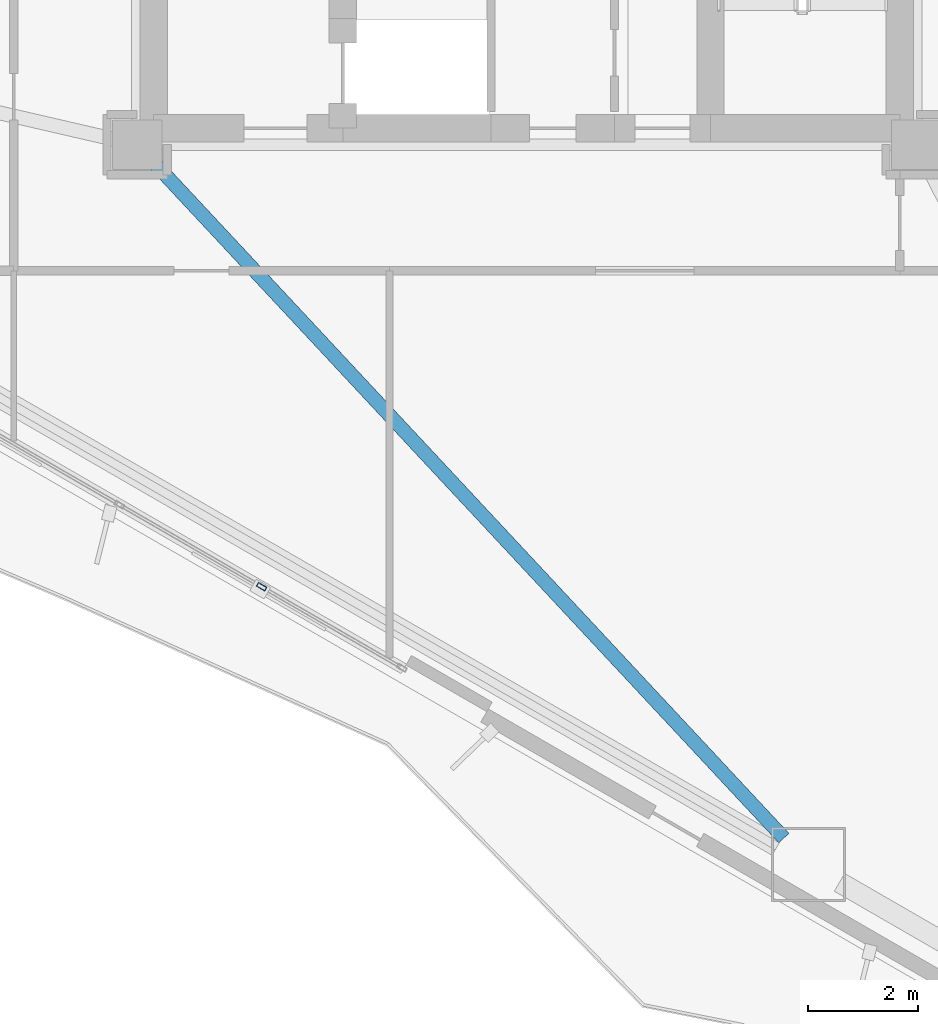
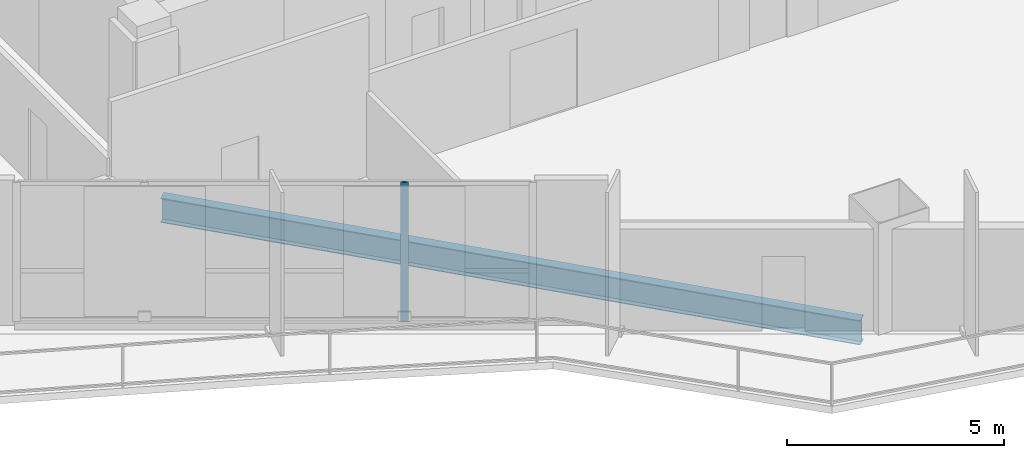
# One storey, part 4 of 16: 1 beam, 1 member, 1 element without a shape of its own.
"""IFC4 building model written with IfcOpenShell, lengths in metres."""

from ifc_helpers import new_model, si_unit, direction, frame, origin, origin_2d, place, context, subcontext, project, spatial, hollow_rectangle, i_section, extrude, material, layer, layer_set, material_profile, profile_set, type_object, element, aggregate, save


model = new_model("IFC4")

# Units and contexts
model_context = context("Model", 3, precision=1e-05, world=origin(), true_north=direction((0.0, 1.0)))
body_context = subcontext(model_context, "Body", "Model", "MODEL_VIEW")
ifc_project = project(units=[si_unit("LENGTHUNIT", "METRE"), si_unit("AREAUNIT", "SQUARE_METRE"), si_unit("VOLUMEUNIT", "CUBIC_METRE"), si_unit("PLANEANGLEUNIT", "RADIAN"), si_unit("MASSUNIT", "GRAM", prefix="KILO")], contexts=[model_context])

# Site, building, storey
site_placement = place(None, origin())
site = spatial("IfcSite", under=ifc_project, at=site_placement, CompositionType="ELEMENT")
building_placement = place(site_placement, origin())
building = spatial("IfcBuilding", under=site, at=building_placement, Name="Mersakhor Tower and Convention Hall", CompositionType="ELEMENT")
storey_placement = place(building_placement, frame((0.0, 0.0, 62.10009765625)))
storey = spatial("IfcBuildingStorey", under=building, at=storey_placement, Name="L17", CompositionType="ELEMENT", Elevation=62.10009765625)

# Beam
ifc_material_1 = material(Name="Steel S355", Category="steel")
ifc_material_profile_1 = material_profile(ifc_material_1, i_section(OverallWidth=0.25439453125, OverallDepth=0.6875, WebThickness=0.01318359375, FlangeThickness=0.02099609375, at=origin_2d()), Name="UB 686x254x152")
ifc_profile_set_1 = profile_set([ifc_material_profile_1], Name="Steel S355")
beam_type = type_object("IfcBeamType", Name="BM-PR-686", PredefinedType="BEAM", material=ifc_profile_set_1)
beam_placement = place(storey_placement, frame((22.193359375, 20.135498046875, -0.623779296875), z_axis=(0.68200435324, -0.731348112845, 0.0), x_axis=(0.731348112845, 0.68200435324, 0.0)))
element("IfcBeam", 1, at=beam_placement, inside=storey, type_object=beam_type, Name="L17 Primary Floor Girder FG-5", PredefinedType="BEAM", context=body_context, shape_type="SweptSolid", body=[
    extrude(i_section(OverallWidth=0.25439453125, OverallDepth=0.6875, WebThickness=0.01318359375, FlangeThickness=0.02099609375, at=origin_2d()), origin(), (0.0, 0.0, 1.0), 16.85205078125),
])

# Curtain wall, member
ifc_material_2 = material(Name="Dark solar low-E aluminium curtain wall", Category="aluminium")
ifc_layer = layer(ifc_material_2, 0.199951171875)
ifc_layer_set = layer_set([ifc_layer], Name="Dark solar low-E aluminium curtain wall")
curtain_wall_type = type_object("IfcCurtainWallType", Name="CW-SYS-05", PredefinedType="USERDEFINED", material=ifc_layer_set)
curtain_wall_placement = place(storey_placement, origin())
curtain_wall = element("IfcCurtainWall", 2, at=curtain_wall_placement, inside=storey, type_object=curtain_wall_type, Name="L17 Dark-Glass Curtain Wall F3-B2", ObjectType="CURTAIN WALL", PredefinedType="USERDEFINED")
ifc_material_3 = material(Name="Anodised aluminium EN AW-6063 T6", Category="aluminium")
ifc_material_profile_2 = material_profile(ifc_material_3, hollow_rectangle(XDim=0.080078125, YDim=0.179931640625, WallThickness=0.008056640625, at=origin_2d()), Name="RHS 180x80x8")
ifc_profile_set_2 = profile_set([ifc_material_profile_2], Name="Anodised aluminium EN AW-6063 T6")
member_type = type_object("IfcMemberType", Name="CWM-180x80", PredefinedType="MULLION", material=ifc_profile_set_2)
member_placement = place(storey_placement, frame((24.167236328125, 12.392822265625, 0.199951171875), z_axis=(0.0, 0.0, 1.0), x_axis=(-0.50000344889, -0.866023412558, 0.0)))
member = element("IfcMember", 3, at=member_placement, type_object=member_type, Name="CW-05 mullion 2", PredefinedType="MULLION", context=body_context, shape_type="SweptSolid", body=[
    extrude(hollow_rectangle(XDim=0.080078125, YDim=0.179931640625, WallThickness=0.008056640625, at=origin_2d()), origin(), (0.0, 0.0, 1.0), 3.89990234375),
])
aggregate(curtain_wall, [member])

save(model, "model.ifc")
